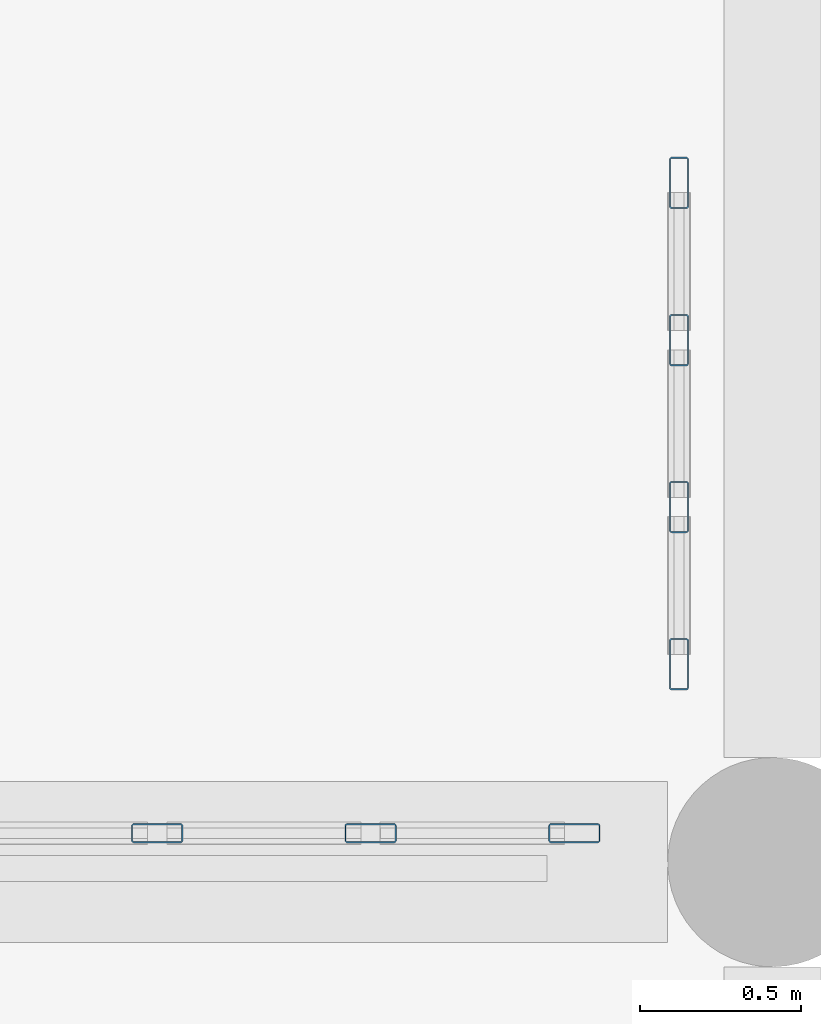
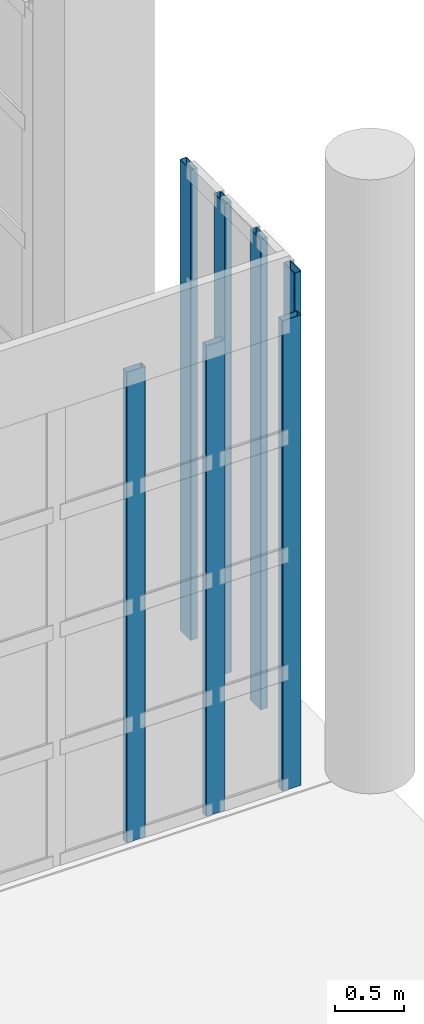
# One storey, part 270 of 372: 7 members, 2 elements without a shape of their own.
"""IFC4 building model written with IfcOpenShell, lengths in metres."""

from ifc_helpers import new_model, si_unit, direction, frame, origin, origin_2d, place, context, subcontext, project, spatial, hollow_rectangle, extrude, material, material_profile, profile_set, type_object, element, aggregate, save


model = new_model("IFC4")

# Units and contexts
model_context = context("Model", 3, precision=1e-05, world=origin(), true_north=direction((0.0, 1.0)))
body_context = subcontext(model_context, "Body", "Model", "MODEL_VIEW")
ifc_project = project(units=[si_unit("LENGTHUNIT", "METRE"), si_unit("AREAUNIT", "SQUARE_METRE"), si_unit("VOLUMEUNIT", "CUBIC_METRE"), si_unit("PLANEANGLEUNIT", "RADIAN"), si_unit("MASSUNIT", "GRAM", prefix="KILO")], contexts=[model_context])

# Site, building, storey
site_placement = place(None, origin())
site = spatial("IfcSite", under=ifc_project, at=site_placement, CompositionType="ELEMENT")
building_placement = place(site_placement, origin())
building = spatial("IfcBuilding", under=site, at=building_placement, Name="Kaelora Sail Theatre", CompositionType="ELEMENT")
storey_placement = place(building_placement, origin())
storey = spatial("IfcBuildingStorey", under=building, at=storey_placement, Name="L00", CompositionType="ELEMENT", Elevation=0.0)

# Curtain wall, members
ifc_material_1 = material(Name="Anodised aluminium and solar-control low-E IGU", Category="aluminium")
curtain_wall_type_1 = type_object("IfcCurtainWallType", Name="ARC-CW-CW-NWG", PredefinedType="NOTDEFINED", material=ifc_material_1)
curtain_wall_1_placement = place(storey_placement, origin())
curtain_wall_1 = element("IfcCurtainWall", 1, at=curtain_wall_1_placement, inside=storey, type_object=curtain_wall_type_1, Name="Glazed Foyer/Conservatory Curtain Wall COLE-S-L00-04", PredefinedType="NOTDEFINED")
ifc_material_2 = material(Name="Anodised aluminium 6063-T6", Category="aluminium")
ifc_material_profile = material_profile(ifc_material_2, hollow_rectangle(XDim=0.06005859375, YDim=0.159912109375, WallThickness=0.00390625, InnerFilletRadius=0.00390625, OuterFilletRadius=0.008056640625, at=origin_2d()), Name="ALU-MULL 60x160x4")
ifc_profile_set = profile_set([ifc_material_profile], Name="Anodised aluminium 6063-T6")
member_type = type_object("IfcMemberType", Name="ARC-MEM-ML-160", PredefinedType="MULLION", material=ifc_profile_set)
member_1_placement = place(storey_placement, frame((161.589111328125, 31.35009765625, 0.0), z_axis=(0.0, 0.0, 1.0), x_axis=(0.0, 1.0, 0.0)))
member_1 = element("IfcMember", 2, at=member_1_placement, type_object=member_type, Name="CW-NWG mullion 4", PredefinedType="MULLION", context=body_context, shape_type="SweptSolid", body=[
    extrude(hollow_rectangle(XDim=0.06005859375, YDim=0.159912109375, WallThickness=0.00390625, InnerFilletRadius=0.00390625, OuterFilletRadius=0.008056640625, at=origin_2d()), origin(), (0.0, 0.0, 1.0), 4.136962890625),
])
member_2_placement = place(storey_placement, frame((162.251953125, 31.35009765625, 0.0), z_axis=(0.0, 0.0, 1.0), x_axis=(0.0, 1.0, 0.0)))
member_2 = element("IfcMember", 3, at=member_2_placement, type_object=member_type, Name="CW-NWG mullion 5", PredefinedType="MULLION", context=body_context, shape_type="SweptSolid", body=[
    extrude(hollow_rectangle(XDim=0.06005859375, YDim=0.159912109375, WallThickness=0.00390625, InnerFilletRadius=0.00390625, OuterFilletRadius=0.008056640625, at=origin_2d()), origin(), (0.0, 0.0, 1.0), 4.136962890625),
])
member_3_placement = place(storey_placement, frame((162.885009765625, 31.35009765625, 0.0), z_axis=(0.0, 0.0, 1.0), x_axis=(0.0, 1.0, 0.0)))
member_3 = element("IfcMember", 4, at=member_3_placement, type_object=member_type, Name="CW-NWG mullion 6", PredefinedType="MULLION", context=body_context, shape_type="SweptSolid", body=[
    extrude(hollow_rectangle(XDim=0.06005859375, YDim=0.159912109375, WallThickness=0.00390625, InnerFilletRadius=0.00390625, OuterFilletRadius=0.008056640625, at=origin_2d()), origin(), (0.0, 0.0, 1.0), 4.136962890625),
])
aggregate(curtain_wall_1, [member_1, member_2, member_3])

ifc_material_3 = material(Name="Anodised aluminium and solar-control low-E IGU", Category="aluminium")
curtain_wall_type_2 = type_object("IfcCurtainWallType", Name="ARC-CW-CW-FOY1", PredefinedType="NOTDEFINED", material=ifc_material_3)
curtain_wall_2_placement = place(storey_placement, origin())
curtain_wall_2 = element("IfcCurtainWall", 5, at=curtain_wall_2_placement, inside=storey, type_object=curtain_wall_type_2, Name="Glazed Colonnade/Courtyard Curtain Wall COLE-E-L00-01", PredefinedType="NOTDEFINED")
member_4_placement = place(storey_placement, frame((163.2099609375, 31.875, 0.0), z_axis=(0.0, 0.0, 1.0), x_axis=(-1.0, 0.0, 0.0)))
member_4 = element("IfcMember", 6, at=member_4_placement, type_object=member_type, Name="CW-FOY1 mullion 1", PredefinedType="MULLION", context=body_context, shape_type="SweptSolid", body=[
    extrude(hollow_rectangle(XDim=0.06005859375, YDim=0.159912109375, WallThickness=0.00390625, InnerFilletRadius=0.00390625, OuterFilletRadius=0.008056640625, at=origin_2d()), origin(), (0.0, 0.0, 1.0), 4.136962890625),
])
member_5_placement = place(storey_placement, frame((163.2099609375, 32.36328125, 0.0), z_axis=(0.0, 0.0, 1.0), x_axis=(-1.0, 0.0, 0.0)))
member_5 = element("IfcMember", 7, at=member_5_placement, type_object=member_type, Name="CW-FOY1 mullion 2", PredefinedType="MULLION", context=body_context, shape_type="SweptSolid", body=[
    extrude(hollow_rectangle(XDim=0.06005859375, YDim=0.159912109375, WallThickness=0.00390625, InnerFilletRadius=0.00390625, OuterFilletRadius=0.008056640625, at=origin_2d()), origin(), (0.0, 0.0, 1.0), 4.136962890625),
])
member_6_placement = place(storey_placement, frame((163.2099609375, 32.881591796875, 0.0), z_axis=(0.0, 0.0, 1.0), x_axis=(-1.0, 0.0, 0.0)))
member_6 = element("IfcMember", 8, at=member_6_placement, type_object=member_type, Name="CW-FOY1 mullion 3", PredefinedType="MULLION", context=body_context, shape_type="SweptSolid", body=[
    extrude(hollow_rectangle(XDim=0.06005859375, YDim=0.159912109375, WallThickness=0.00390625, InnerFilletRadius=0.00390625, OuterFilletRadius=0.008056640625, at=origin_2d()), origin(), (0.0, 0.0, 1.0), 4.136962890625),
])
member_7_placement = place(storey_placement, frame((163.2099609375, 33.3701171875, 0.0), z_axis=(0.0, 0.0, 1.0), x_axis=(-1.0, 0.0, 0.0)))
member_7 = element("IfcMember", 9, at=member_7_placement, type_object=member_type, Name="CW-FOY1 mullion 4", PredefinedType="MULLION", context=body_context, shape_type="SweptSolid", body=[
    extrude(hollow_rectangle(XDim=0.06005859375, YDim=0.159912109375, WallThickness=0.00390625, InnerFilletRadius=0.00390625, OuterFilletRadius=0.008056640625, at=origin_2d()), origin(), (0.0, 0.0, 1.0), 4.136962890625),
])
aggregate(curtain_wall_2, [member_4, member_5, member_6, member_7])

save(model, "model.ifc")
